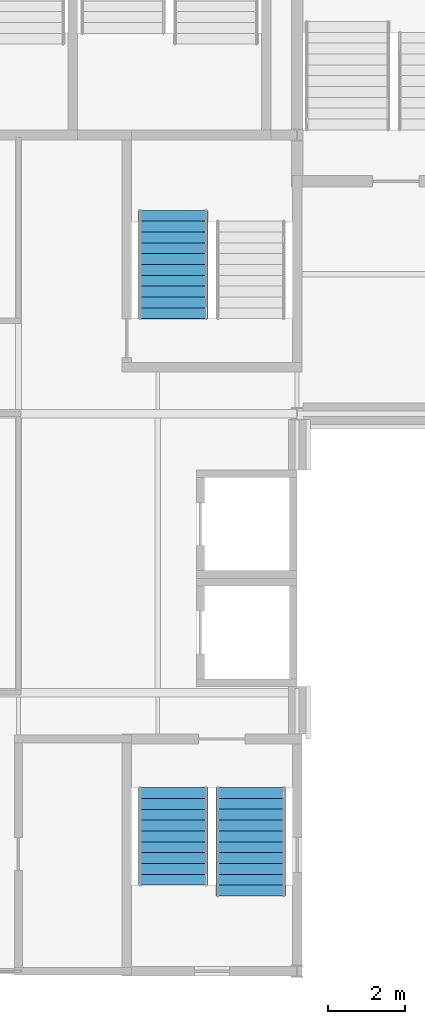
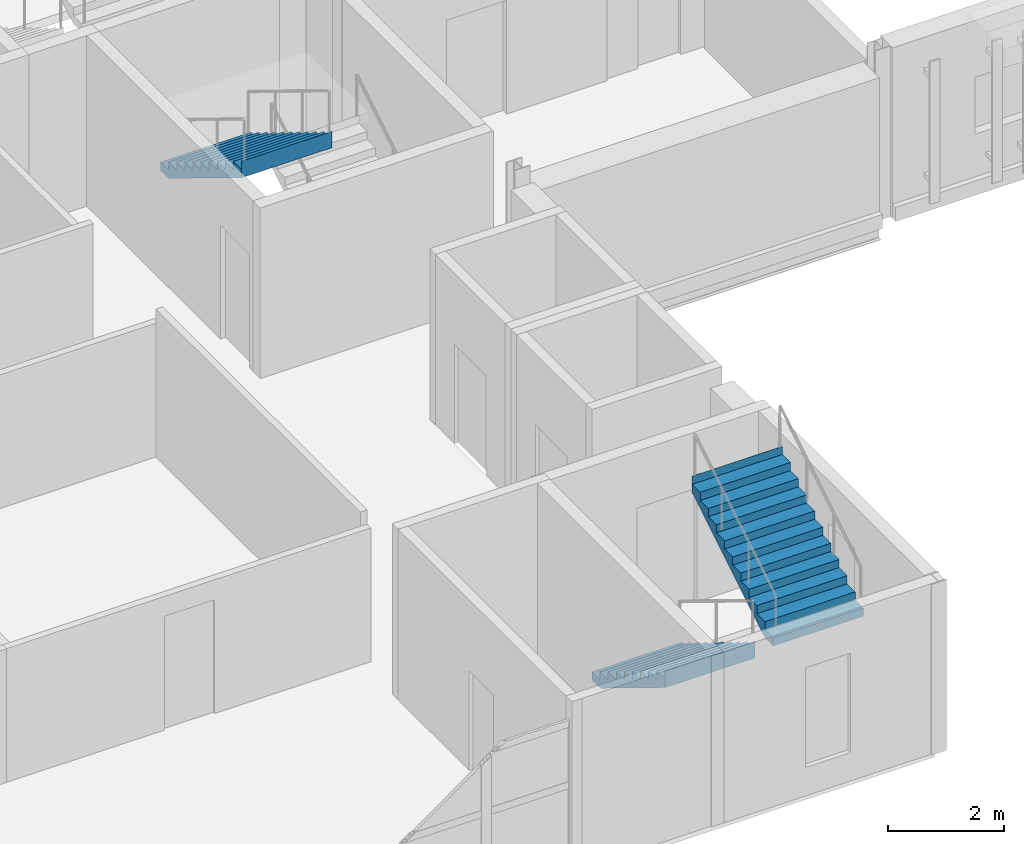
# One storey, part 84 of 124: 3 stair flights, 2 elements without a shape of their own.
"""IFC4 building model written with IfcOpenShell, lengths in metres."""

from ifc_helpers import new_model, si_unit, direction, frame, origin, place, context, subcontext, project, spatial, polyline, outline, extrude, material, type_object, element, aggregate, save


model = new_model("IFC4")

# Units and contexts
model_context = context("Model", 3, precision=1e-05, world=origin(), true_north=direction((0.0, 1.0)))
body_context = subcontext(model_context, "Body", "Model", "MODEL_VIEW")
ifc_project = project(units=[si_unit("LENGTHUNIT", "METRE"), si_unit("AREAUNIT", "SQUARE_METRE"), si_unit("VOLUMEUNIT", "CUBIC_METRE"), si_unit("PLANEANGLEUNIT", "RADIAN"), si_unit("MASSUNIT", "GRAM", prefix="KILO")], contexts=[model_context])

# Site, building, storey
site_placement = place(None, origin())
site = spatial("IfcSite", under=ifc_project, at=site_placement, CompositionType="ELEMENT")
building_placement = place(site_placement, origin())
building = spatial("IfcBuilding", under=site, at=building_placement, Name="Kupolbacken Congress Centre", CompositionType="ELEMENT")
storey_placement = place(building_placement, frame((0.0, 0.0, 10.800048828125)))
storey = spatial("IfcBuildingStorey", under=building, at=storey_placement, Name="L03", CompositionType="ELEMENT", Elevation=10.800048828125)

# Stair, stair flights
ifc_material_1 = material(Name="Steel S355", Category="steel")
stair_type = type_object("IfcStairType", Name="ST3 stair 1800", PredefinedType="TWO_STRAIGHT_RUN_STAIR", material=ifc_material_1)
stair_1_placement = place(storey_placement, origin())
stair_1 = element("IfcStair", 1, at=stair_1_placement, inside=storey, type_object=stair_type, Name="C/stair/FS1E/L03", PredefinedType="NOTDEFINED")
ifc_material_2 = material(Name="Steel S355", Category="steel")
stair_flight_type_1 = type_object("IfcStairFlightType", Name="FL5 stair flight 1800 x 10 risers", PredefinedType="STRAIGHT", material=ifc_material_2)
stair_flight_1_placement = place(storey_placement, frame((76.0, 33.544921875, 0.0), z_axis=(0.0, 0.0, 1.0), x_axis=(0.0, -1.0, 0.0)))
stair_flight_1 = element("IfcStairFlight", 2, at=stair_flight_1_placement, type_object=stair_flight_type_1, Name="FS1E flight 1", NumberOfRisers=10, NumberOfTreads=9, PredefinedType="STRAIGHT", RiserHeight=0.171428571, TreadLength=0.28, context=body_context, shape_type="SweptSolid", body=[
    extrude(outline(polyline([(0.0, 0.0), (0.0, 0.0009765625), (0.0, 0.002197265625), (0.0, 0.003173828125), (0.0, 0.004150390625), (0.0, 0.00537109375), (0.0, 0.00634765625), (0.0, 0.007568359375), (0.0, 0.008544921875), (0.0, 0.009521484375), (0.0, 0.0107421875), (0.0, 0.01171875), (0.0, 0.0126953125), (0.0, 0.013916015625), (0.0, 0.014892578125), (0.0, 0.015869140625), (0.0, 0.01708984375), (0.0, 0.01806640625), (0.0, 0.019287109375), (0.0, 0.020263671875), (0.0, 0.021240234375), (0.0, 0.0224609375), (0.0, 0.0234375), (0.0, 0.0244140625), (0.0, 0.025634765625), (0.0, 0.026611328125), (0.0, 0.027587890625), (0.0, 0.02880859375), (0.0, 0.02978515625), (0.0, 0.03076171875), (0.0, 0.031982421875), (0.0, 0.032958984375), (0.0, 0.0341796875), (0.0, 0.03515625), (0.0, 0.0361328125), (0.0, 0.037353515625), (0.0, 0.038330078125), (0.0, 0.039306640625), (0.0, 0.04052734375), (0.0, 0.04150390625), (0.0, 0.04248046875), (0.0, 0.043701171875), (0.0, 0.044677734375), (0.0, 0.0458984375), (0.0, 0.046875), (0.0, 0.0478515625), (0.0, 0.049072265625), (0.0, 0.050048828125), (0.0, 0.051025390625), (0.0, 0.05224609375), (0.0, 0.05322265625), (0.0, 0.05419921875), (0.0, 0.055419921875), (0.0, 0.056396484375), (0.0, 0.0576171875), (0.0, 0.05859375), (0.0, 0.0595703125), (0.0, 0.060791015625), (0.0, 0.061767578125), (0.0, 0.062744140625), (0.0, 0.06396484375), (0.0, 0.06494140625), (0.0, 0.06591796875), (0.0, 0.067138671875), (0.0, 0.068115234375), (0.0, 0.069091796875), (0.0, 0.0703125), (0.0, 0.0712890625), (0.0, 0.072509765625), (0.0, 0.073486328125), (0.0, 0.074462890625), (0.0, 0.07568359375), (0.0, 0.07666015625), (0.0, 0.07763671875), (0.0, 0.078857421875), (0.0, 0.079833984375), (0.0, 0.080810546875), (0.0, 0.08203125), (0.0, 0.0830078125), (0.0, 0.084228515625), (0.0, 0.085205078125), (0.0, 0.086181640625), (0.0, 0.08740234375), (0.0, 0.08837890625), (0.0, 0.08935546875), (0.0, 0.090576171875), (0.0, 0.091552734375), (0.0, 0.092529296875), (0.0, 0.09375), (0.0, 0.0947265625), (0.0, 0.095947265625), (0.0, 0.096923828125), (0.0, 0.097900390625), (0.0, 0.09912109375), (0.0, 0.10009765625), (0.0, 0.10107421875), (0.0, 0.102294921875), (0.0, 0.103271484375), (0.0, 0.104248046875), (0.0, 0.10546875), (0.0, 0.1064453125), (0.0, 0.107421875), (0.0, 0.108642578125), (0.0, 0.109619140625), (0.0, 0.11083984375), (0.0, 0.11181640625), (0.0, 0.11279296875), (0.0, 0.114013671875), (0.0, 0.114990234375), (0.0, 0.115966796875), (0.0, 0.1171875), (0.0, 0.1181640625), (0.0, 0.119140625), (0.0, 0.120361328125), (0.0, 0.121337890625), (0.0, 0.12255859375), (0.0, 0.12353515625), (0.0, 0.12451171875), (0.0, 0.125732421875), (0.0, 0.126708984375), (0.0, 0.127685546875), (0.0, 0.12890625), (0.0, 0.1298828125), (0.0, 0.130859375), (0.0, 0.132080078125), (0.0, 0.133056640625), (0.0, 0.13427734375), (0.0, 0.13525390625), (0.0, 0.13623046875), (0.0, 0.137451171875), (0.0, 0.138427734375), (0.0, 0.139404296875), (0.0, 0.140625), (0.0, 0.1416015625), (0.0, 0.142578125), (0.0, 0.143798828125), (0.0, 0.144775390625), (0.0, 0.145751953125), (0.0, 0.14697265625), (0.0, 0.14794921875), (0.0, 0.149169921875), (0.0, 0.150146484375), (0.0, 0.151123046875), (0.0, 0.15234375), (0.0, 0.1533203125), (0.0, 0.154296875), (0.0, 0.155517578125), (0.0, 0.156494140625), (0.0, 0.157470703125), (0.0, 0.15869140625), (0.0, 0.15966796875), (0.0, 0.160888671875), (0.0, 0.161865234375), (0.0, 0.162841796875), (0.0, 0.1640625), (0.0, 0.1650390625), (0.0, 0.166015625), (0.0, 0.167236328125), (0.0, 0.168212890625), (0.0, 0.169189453125), (0.0, 0.17041015625), (0.0, 0.17138671875), (0.280029296875, 0.17138671875), (0.280029296875, 0.3427734375), (0.56005859375, 0.3427734375), (0.56005859375, 0.514404296875), (0.840087890625, 0.514404296875), (0.840087890625, 0.685791015625), (1.1201171875, 0.685791015625), (1.1201171875, 0.857177734375), (1.39990234375, 0.857177734375), (1.39990234375, 1.028564453125), (1.679931640625, 1.028564453125), (1.679931640625, 1.199951171875), (1.9599609375, 1.199951171875), (1.9599609375, 1.371337890625), (2.239990234375, 1.371337890625), (2.239990234375, 1.54296875), (2.52001953125, 1.54296875), (2.52001953125, 1.71435546875), (2.52197265625, 1.71435546875), (2.52197265625, 1.712158203125), (2.52197265625, 1.7099609375), (2.52197265625, 1.707763671875), (2.52197265625, 1.70556640625), (2.52197265625, 1.70361328125), (2.52197265625, 1.701416015625), (2.52197265625, 1.69921875), (2.52197265625, 1.697021484375), (2.52197265625, 1.69482421875), (2.52197265625, 1.692626953125), (2.52197265625, 1.690673828125), (2.52197265625, 1.6884765625), (2.52197265625, 1.686279296875), (2.52197265625, 1.68408203125), (2.52197265625, 1.681884765625), (2.52197265625, 1.6796875), (2.52197265625, 1.677734375), (2.52197265625, 1.675537109375), (2.52197265625, 1.67333984375), (2.52197265625, 1.671142578125), (2.52197265625, 1.6689453125), (2.52197265625, 1.666748046875), (2.52197265625, 1.664794921875), (2.52197265625, 1.66259765625), (2.52197265625, 1.660400390625), (2.52197265625, 1.658203125), (2.52197265625, 1.656005859375), (2.52197265625, 1.65380859375), (2.52197265625, 1.65185546875), (2.52197265625, 1.649658203125), (2.52197265625, 1.6474609375), (2.52197265625, 1.645263671875), (2.52197265625, 1.64306640625), (2.52197265625, 1.640869140625), (2.52197265625, 1.638916015625), (2.52197265625, 1.63671875), (2.52197265625, 1.634521484375), (2.52197265625, 1.63232421875), (2.52197265625, 1.630126953125), (2.52197265625, 1.6279296875), (2.52197265625, 1.6259765625), (2.52197265625, 1.623779296875), (2.52197265625, 1.62158203125), (2.52197265625, 1.619384765625), (2.52197265625, 1.6171875), (2.52197265625, 1.614990234375), (2.52197265625, 1.613037109375), (2.52197265625, 1.61083984375), (2.52197265625, 1.608642578125), (2.52197265625, 1.6064453125), (2.52197265625, 1.604248046875), (2.52197265625, 1.60205078125), (2.52197265625, 1.60009765625), (2.52197265625, 1.597900390625), (2.52197265625, 1.595703125), (2.52197265625, 1.593505859375), (2.52197265625, 1.59130859375), (2.52197265625, 1.589111328125), (2.52197265625, 1.587158203125), (2.52197265625, 1.5849609375), (2.52197265625, 1.582763671875), (2.52197265625, 1.58056640625), (2.52197265625, 1.578369140625), (2.52197265625, 1.576171875), (2.52197265625, 1.57421875), (2.52197265625, 1.572021484375), (2.52197265625, 1.56982421875), (2.52197265625, 1.567626953125), (2.52197265625, 1.5654296875), (2.52197265625, 1.563232421875), (2.52197265625, 1.561279296875), (2.52197265625, 1.55908203125), (2.52197265625, 1.556884765625), (2.52197265625, 1.5546875), (2.52197265625, 1.552490234375), (2.52197265625, 1.55029296875), (2.52197265625, 1.54833984375), (2.52197265625, 1.546142578125), (2.52197265625, 1.5439453125), (2.52197265625, 1.541748046875), (2.52197265625, 1.53955078125), (2.52197265625, 1.537353515625), (2.52197265625, 1.535400390625), (2.52197265625, 1.533203125), (2.52197265625, 1.531005859375), (2.52197265625, 1.52880859375), (2.52197265625, 1.526611328125), (2.52197265625, 1.5244140625), (2.52197265625, 1.5224609375), (2.52197265625, 1.520263671875), (2.52197265625, 1.51806640625), (2.52197265625, 1.515869140625), (2.52197265625, 1.513671875), (2.52197265625, 1.511474609375), (2.52197265625, 1.509521484375), (2.52197265625, 1.50732421875), (2.52197265625, 1.505126953125), (2.52197265625, 1.5029296875), (2.52197265625, 1.500732421875), (2.52197265625, 1.49853515625), (2.52197265625, 1.49658203125), (2.52197265625, 1.494384765625), (2.52197265625, 1.4921875), (2.52197265625, 1.489990234375), (2.52197265625, 1.48779296875), (2.52197265625, 1.485595703125), (2.52197265625, 1.483642578125), (2.52197265625, 1.4814453125), (2.52197265625, 1.479248046875), (2.52197265625, 1.47705078125), (2.52197265625, 1.474853515625), (2.52197265625, 1.47265625), (2.52197265625, 1.470703125), (2.52197265625, 1.468505859375), (2.52197265625, 1.46630859375), (2.52197265625, 1.464111328125), (2.52197265625, 1.4619140625), (2.52197265625, 1.459716796875), (2.52197265625, 1.457763671875), (2.52197265625, 1.45556640625), (2.52197265625, 1.453369140625), (2.52197265625, 1.451171875), (2.52197265625, 1.448974609375), (2.52197265625, 1.44677734375), (2.52197265625, 1.44482421875), (2.52197265625, 1.442626953125), (2.52197265625, 1.4404296875), (2.52197265625, 1.438232421875), (2.52197265625, 1.43603515625), (2.52197265625, 1.433837890625), (2.52197265625, 1.431884765625), (2.52197265625, 1.4296875), (2.52197265625, 1.427490234375), (2.52197265625, 1.42529296875), (2.52197265625, 1.423095703125), (2.52197265625, 1.4208984375), (2.52197265625, 1.4189453125), (2.52197265625, 1.416748046875), (2.52197265625, 1.41455078125), (2.52197265625, 1.412353515625), (2.52197265625, 1.41015625), (2.52197265625, 1.407958984375), (2.52197265625, 1.406005859375), (2.52197265625, 1.40380859375), (2.52197265625, 1.401611328125), (2.52197265625, 1.3994140625), (2.52197265625, 1.397216796875), (2.52197265625, 1.39501953125), (2.52197265625, 1.39306640625), (2.52197265625, 1.390869140625), (2.52197265625, 1.388671875), (2.52197265625, 1.386474609375), (2.52197265625, 1.38427734375), (2.52197265625, 1.382080078125), (2.52197265625, 1.380126953125), (2.52197265625, 1.3779296875), (2.52197265625, 1.375732421875), (2.52197265625, 1.37353515625), (2.52197265625, 1.371337890625), (2.52197265625, 1.369140625), (2.52197265625, 1.3671875), (0.2890625, 0.0), (0.0, 0.0)])), frame((0.0, 0.89990234375, 0.0), z_axis=(0.0, -1.0, 0.0), x_axis=(1.0, 0.0, 0.0)), (0.0, 0.0, 1.0), 1.800048828125),
])
ifc_material_3 = material(Name="Steel S355", Category="steel")
stair_flight_type_2 = type_object("IfcStairFlightType", Name="FL6 stair flight 1800 x 11 risers", PredefinedType="STRAIGHT", material=ifc_material_3)
stair_flight_2_placement = place(storey_placement, frame((78.0, 30.7451171875, 1.71435546875), z_axis=(0.0, 0.0, 1.0), x_axis=(0.0, 1.0, 0.0)))
stair_flight_2 = element("IfcStairFlight", 3, at=stair_flight_2_placement, type_object=stair_flight_type_2, Name="FS1E flight 2", NumberOfRisers=11, NumberOfTreads=10, PredefinedType="STRAIGHT", RiserHeight=0.171428571, TreadLength=0.28, context=body_context, shape_type="SweptSolid", body=[
    extrude(outline(polyline([(0.0, 0.0), (0.0, 0.0009765625), (0.0, 0.002197265625), (0.0, 0.003173828125), (0.0, 0.004150390625), (0.0, 0.00537109375), (0.0, 0.00634765625), (0.0, 0.007568359375), (0.0, 0.008544921875), (0.0, 0.009521484375), (0.0, 0.0107421875), (0.0, 0.01171875), (0.0, 0.0126953125), (0.0, 0.013916015625), (0.0, 0.014892578125), (0.0, 0.015869140625), (0.0, 0.01708984375), (0.0, 0.01806640625), (0.0, 0.019287109375), (0.0, 0.020263671875), (0.0, 0.021240234375), (0.0, 0.0224609375), (0.0, 0.0234375), (0.0, 0.0244140625), (0.0, 0.025634765625), (0.0, 0.026611328125), (0.0, 0.027587890625), (0.0, 0.02880859375), (0.0, 0.02978515625), (0.0, 0.03076171875), (0.0, 0.031982421875), (0.0, 0.032958984375), (0.0, 0.0341796875), (0.0, 0.03515625), (0.0, 0.0361328125), (0.0, 0.037353515625), (0.0, 0.038330078125), (0.0, 0.039306640625), (0.0, 0.04052734375), (0.0, 0.04150390625), (0.0, 0.04248046875), (0.0, 0.043701171875), (0.0, 0.044677734375), (0.0, 0.0458984375), (0.0, 0.046875), (0.0, 0.0478515625), (0.0, 0.049072265625), (0.0, 0.050048828125), (0.0, 0.051025390625), (0.0, 0.05224609375), (0.0, 0.05322265625), (0.0, 0.05419921875), (0.0, 0.055419921875), (0.0, 0.056396484375), (0.0, 0.0576171875), (0.0, 0.05859375), (0.0, 0.0595703125), (0.0, 0.060791015625), (0.0, 0.061767578125), (0.0, 0.062744140625), (0.0, 0.06396484375), (0.0, 0.06494140625), (0.0, 0.06591796875), (0.0, 0.067138671875), (0.0, 0.068115234375), (0.0, 0.069091796875), (0.0, 0.0703125), (0.0, 0.0712890625), (0.0, 0.072509765625), (0.0, 0.073486328125), (0.0, 0.074462890625), (0.0, 0.07568359375), (0.0, 0.07666015625), (0.0, 0.07763671875), (0.0, 0.078857421875), (0.0, 0.079833984375), (0.0, 0.080810546875), (0.0, 0.08203125), (0.0, 0.0830078125), (0.0, 0.084228515625), (0.0, 0.085205078125), (0.0, 0.086181640625), (0.0, 0.08740234375), (0.0, 0.08837890625), (0.0, 0.08935546875), (0.0, 0.090576171875), (0.0, 0.091552734375), (0.0, 0.092529296875), (0.0, 0.09375), (0.0, 0.0947265625), (0.0, 0.095947265625), (0.0, 0.096923828125), (0.0, 0.097900390625), (0.0, 0.09912109375), (0.0, 0.10009765625), (0.0, 0.10107421875), (0.0, 0.102294921875), (0.0, 0.103271484375), (0.0, 0.104248046875), (0.0, 0.10546875), (0.0, 0.1064453125), (0.0, 0.107421875), (0.0, 0.108642578125), (0.0, 0.109619140625), (0.0, 0.11083984375), (0.0, 0.11181640625), (0.0, 0.11279296875), (0.0, 0.114013671875), (0.0, 0.114990234375), (0.0, 0.115966796875), (0.0, 0.1171875), (0.0, 0.1181640625), (0.0, 0.119140625), (0.0, 0.120361328125), (0.0, 0.121337890625), (0.0, 0.12255859375), (0.0, 0.12353515625), (0.0, 0.12451171875), (0.0, 0.125732421875), (0.0, 0.126708984375), (0.0, 0.127685546875), (0.0, 0.12890625), (0.0, 0.1298828125), (0.0, 0.130859375), (0.0, 0.132080078125), (0.0, 0.133056640625), (0.0, 0.13427734375), (0.0, 0.13525390625), (0.0, 0.13623046875), (0.0, 0.137451171875), (0.0, 0.138427734375), (0.0, 0.139404296875), (0.0, 0.140625), (0.0, 0.1416015625), (0.0, 0.142578125), (0.0, 0.143798828125), (0.0, 0.144775390625), (0.0, 0.145751953125), (0.0, 0.14697265625), (0.0, 0.14794921875), (0.0, 0.149169921875), (0.0, 0.150146484375), (0.0, 0.151123046875), (0.0, 0.15234375), (0.0, 0.1533203125), (0.0, 0.154296875), (0.0, 0.155517578125), (0.0, 0.156494140625), (0.0, 0.157470703125), (0.0, 0.15869140625), (0.0, 0.15966796875), (0.0, 0.160888671875), (0.0, 0.161865234375), (0.0, 0.162841796875), (0.0, 0.1640625), (0.0, 0.1650390625), (0.0, 0.166015625), (0.0, 0.167236328125), (0.0, 0.168212890625), (0.0, 0.169189453125), (0.0, 0.17041015625), (0.0, 0.17138671875), (0.280029296875, 0.17138671875), (0.280029296875, 0.3427734375), (0.56005859375, 0.3427734375), (0.56005859375, 0.514404296875), (0.840087890625, 0.514404296875), (0.840087890625, 0.685791015625), (1.1201171875, 0.685791015625), (1.1201171875, 0.857177734375), (1.39990234375, 0.857177734375), (1.39990234375, 1.028564453125), (1.679931640625, 1.028564453125), (1.679931640625, 1.199951171875), (1.9599609375, 1.199951171875), (1.9599609375, 1.371337890625), (2.239990234375, 1.371337890625), (2.239990234375, 1.54296875), (2.52001953125, 1.54296875), (2.52001953125, 1.71435546875), (2.800048828125, 1.71435546875), (2.800048828125, 1.8857421875), (2.802001953125, 1.8857421875), (2.802001953125, 1.883544921875), (2.802001953125, 1.88134765625), (2.802001953125, 1.879150390625), (2.802001953125, 1.877197265625), (2.802001953125, 1.875), (2.802001953125, 1.872802734375), (2.802001953125, 1.87060546875), (2.802001953125, 1.868408203125), (2.802001953125, 1.8662109375), (2.802001953125, 1.8642578125), (2.802001953125, 1.862060546875), (2.802001953125, 1.85986328125), (2.802001953125, 1.857666015625), (2.802001953125, 1.85546875), (2.802001953125, 1.853271484375), (2.802001953125, 1.851318359375), (2.802001953125, 1.84912109375), (2.802001953125, 1.846923828125), (2.802001953125, 1.8447265625), (2.802001953125, 1.842529296875), (2.802001953125, 1.84033203125), (2.802001953125, 1.83837890625), (2.802001953125, 1.836181640625), (2.802001953125, 1.833984375), (2.802001953125, 1.831787109375), (2.802001953125, 1.82958984375), (2.802001953125, 1.827392578125), (2.802001953125, 1.825439453125), (2.802001953125, 1.8232421875), (2.802001953125, 1.821044921875), (2.802001953125, 1.81884765625), (2.802001953125, 1.816650390625), (2.802001953125, 1.814453125), (2.802001953125, 1.8125), (2.802001953125, 1.810302734375), (2.802001953125, 1.80810546875), (2.802001953125, 1.805908203125), (2.802001953125, 1.8037109375), (2.802001953125, 1.801513671875), (2.802001953125, 1.799560546875), (2.802001953125, 1.79736328125), (2.802001953125, 1.795166015625), (2.802001953125, 1.79296875), (2.802001953125, 1.790771484375), (2.802001953125, 1.78857421875), (2.802001953125, 1.78662109375), (2.802001953125, 1.784423828125), (2.802001953125, 1.7822265625), (2.802001953125, 1.780029296875), (2.802001953125, 1.77783203125), (2.802001953125, 1.775634765625), (2.802001953125, 1.773681640625), (2.802001953125, 1.771484375), (2.802001953125, 1.769287109375), (2.802001953125, 1.76708984375), (2.802001953125, 1.764892578125), (2.802001953125, 1.7626953125), (2.802001953125, 1.7607421875), (2.802001953125, 1.758544921875), (2.802001953125, 1.75634765625), (2.802001953125, 1.754150390625), (2.802001953125, 1.751953125), (2.802001953125, 1.749755859375), (2.802001953125, 1.747802734375), (2.802001953125, 1.74560546875), (2.802001953125, 1.743408203125), (2.802001953125, 1.7412109375), (2.802001953125, 1.739013671875), (2.802001953125, 1.73681640625), (2.802001953125, 1.73486328125), (2.802001953125, 1.732666015625), (2.802001953125, 1.73046875), (2.802001953125, 1.728271484375), (2.802001953125, 1.72607421875), (2.802001953125, 1.723876953125), (2.802001953125, 1.721923828125), (2.802001953125, 1.7197265625), (2.802001953125, 1.717529296875), (2.802001953125, 1.71533203125), (2.802001953125, 1.713134765625), (2.802001953125, 1.7109375), (2.802001953125, 1.708984375), (2.802001953125, 1.706787109375), (2.802001953125, 1.70458984375), (2.802001953125, 1.702392578125), (2.802001953125, 1.7001953125), (2.802001953125, 1.697998046875), (2.802001953125, 1.696044921875), (2.802001953125, 1.69384765625), (2.802001953125, 1.691650390625), (2.802001953125, 1.689453125), (2.802001953125, 1.687255859375), (2.802001953125, 1.68505859375), (2.802001953125, 1.68310546875), (2.802001953125, 1.680908203125), (2.802001953125, 1.6787109375), (2.802001953125, 1.676513671875), (2.802001953125, 1.67431640625), (2.802001953125, 1.672119140625), (2.802001953125, 1.670166015625), (2.802001953125, 1.66796875), (2.802001953125, 1.665771484375), (2.802001953125, 1.66357421875), (2.802001953125, 1.661376953125), (2.802001953125, 1.6591796875), (2.802001953125, 1.6572265625), (2.802001953125, 1.655029296875), (2.802001953125, 1.65283203125), (2.802001953125, 1.650634765625), (2.802001953125, 1.6484375), (2.802001953125, 1.646240234375), (2.802001953125, 1.644287109375), (2.802001953125, 1.64208984375), (2.802001953125, 1.639892578125), (2.802001953125, 1.6376953125), (2.802001953125, 1.635498046875), (2.802001953125, 1.63330078125), (2.802001953125, 1.63134765625), (2.802001953125, 1.629150390625), (2.802001953125, 1.626953125), (2.802001953125, 1.624755859375), (2.802001953125, 1.62255859375), (2.802001953125, 1.620361328125), (2.802001953125, 1.618408203125), (2.802001953125, 1.6162109375), (2.802001953125, 1.614013671875), (2.802001953125, 1.61181640625), (2.802001953125, 1.609619140625), (2.802001953125, 1.607421875), (2.802001953125, 1.60546875), (2.802001953125, 1.603271484375), (2.802001953125, 1.60107421875), (2.802001953125, 1.598876953125), (2.802001953125, 1.5966796875), (2.802001953125, 1.594482421875), (2.802001953125, 1.592529296875), (2.802001953125, 1.59033203125), (2.802001953125, 1.588134765625), (2.802001953125, 1.5859375), (2.802001953125, 1.583740234375), (2.802001953125, 1.58154296875), (2.802001953125, 1.57958984375), (2.802001953125, 1.577392578125), (2.802001953125, 1.5751953125), (2.802001953125, 1.572998046875), (2.802001953125, 1.57080078125), (2.802001953125, 1.568603515625), (2.802001953125, 1.566650390625), (2.802001953125, 1.564453125), (2.802001953125, 1.562255859375), (2.802001953125, 1.56005859375), (2.802001953125, 1.557861328125), (2.802001953125, 1.5556640625), (2.802001953125, 1.5537109375), (2.802001953125, 1.551513671875), (2.802001953125, 1.54931640625), (2.802001953125, 1.547119140625), (2.802001953125, 1.544921875), (2.802001953125, 1.542724609375), (2.802001953125, 1.540771484375), (2.802001953125, 1.53857421875), (0.2890625, 0.0), (0.0, 0.0)])), frame((0.0, 0.89990234375, 0.0), z_axis=(0.0, -1.0, 0.0), x_axis=(1.0, 0.0, 0.0)), (0.0, 0.0, 1.0), 1.800048828125),
])
aggregate(stair_1, [stair_flight_1, stair_flight_2])

# Stair, stair flight
stair_2_placement = place(storey_placement, origin())
stair_2 = element("IfcStair", 4, at=stair_2_placement, inside=storey, type_object=stair_type, Name="C/stair/FS2E/L03", PredefinedType="NOTDEFINED")
stair_flight_3_placement = place(storey_placement, frame((76.0, 48.455078125, 1.71435546875), z_axis=(0.0, 0.0, 1.0), x_axis=(0.0, -1.0, 0.0)))
stair_flight_3 = element("IfcStairFlight", 5, at=stair_flight_3_placement, type_object=stair_flight_type_2, Name="FS2E flight 2", NumberOfRisers=11, NumberOfTreads=10, PredefinedType="STRAIGHT", RiserHeight=0.171428571, TreadLength=0.28, context=body_context, shape_type="SweptSolid", body=[
    extrude(outline(polyline([(0.0, 0.0), (0.0, 0.0009765625), (0.0, 0.002197265625), (0.0, 0.003173828125), (0.0, 0.004150390625), (0.0, 0.00537109375), (0.0, 0.00634765625), (0.0, 0.007568359375), (0.0, 0.008544921875), (0.0, 0.009521484375), (0.0, 0.0107421875), (0.0, 0.01171875), (0.0, 0.0126953125), (0.0, 0.013916015625), (0.0, 0.014892578125), (0.0, 0.015869140625), (0.0, 0.01708984375), (0.0, 0.01806640625), (0.0, 0.019287109375), (0.0, 0.020263671875), (0.0, 0.021240234375), (0.0, 0.0224609375), (0.0, 0.0234375), (0.0, 0.0244140625), (0.0, 0.025634765625), (0.0, 0.026611328125), (0.0, 0.027587890625), (0.0, 0.02880859375), (0.0, 0.02978515625), (0.0, 0.03076171875), (0.0, 0.031982421875), (0.0, 0.032958984375), (0.0, 0.0341796875), (0.0, 0.03515625), (0.0, 0.0361328125), (0.0, 0.037353515625), (0.0, 0.038330078125), (0.0, 0.039306640625), (0.0, 0.04052734375), (0.0, 0.04150390625), (0.0, 0.04248046875), (0.0, 0.043701171875), (0.0, 0.044677734375), (0.0, 0.0458984375), (0.0, 0.046875), (0.0, 0.0478515625), (0.0, 0.049072265625), (0.0, 0.050048828125), (0.0, 0.051025390625), (0.0, 0.05224609375), (0.0, 0.05322265625), (0.0, 0.05419921875), (0.0, 0.055419921875), (0.0, 0.056396484375), (0.0, 0.0576171875), (0.0, 0.05859375), (0.0, 0.0595703125), (0.0, 0.060791015625), (0.0, 0.061767578125), (0.0, 0.062744140625), (0.0, 0.06396484375), (0.0, 0.06494140625), (0.0, 0.06591796875), (0.0, 0.067138671875), (0.0, 0.068115234375), (0.0, 0.069091796875), (0.0, 0.0703125), (0.0, 0.0712890625), (0.0, 0.072509765625), (0.0, 0.073486328125), (0.0, 0.074462890625), (0.0, 0.07568359375), (0.0, 0.07666015625), (0.0, 0.07763671875), (0.0, 0.078857421875), (0.0, 0.079833984375), (0.0, 0.080810546875), (0.0, 0.08203125), (0.0, 0.0830078125), (0.0, 0.084228515625), (0.0, 0.085205078125), (0.0, 0.086181640625), (0.0, 0.08740234375), (0.0, 0.08837890625), (0.0, 0.08935546875), (0.0, 0.090576171875), (0.0, 0.091552734375), (0.0, 0.092529296875), (0.0, 0.09375), (0.0, 0.0947265625), (0.0, 0.095947265625), (0.0, 0.096923828125), (0.0, 0.097900390625), (0.0, 0.09912109375), (0.0, 0.10009765625), (0.0, 0.10107421875), (0.0, 0.102294921875), (0.0, 0.103271484375), (0.0, 0.104248046875), (0.0, 0.10546875), (0.0, 0.1064453125), (0.0, 0.107421875), (0.0, 0.108642578125), (0.0, 0.109619140625), (0.0, 0.11083984375), (0.0, 0.11181640625), (0.0, 0.11279296875), (0.0, 0.114013671875), (0.0, 0.114990234375), (0.0, 0.115966796875), (0.0, 0.1171875), (0.0, 0.1181640625), (0.0, 0.119140625), (0.0, 0.120361328125), (0.0, 0.121337890625), (0.0, 0.12255859375), (0.0, 0.12353515625), (0.0, 0.12451171875), (0.0, 0.125732421875), (0.0, 0.126708984375), (0.0, 0.127685546875), (0.0, 0.12890625), (0.0, 0.1298828125), (0.0, 0.130859375), (0.0, 0.132080078125), (0.0, 0.133056640625), (0.0, 0.13427734375), (0.0, 0.13525390625), (0.0, 0.13623046875), (0.0, 0.137451171875), (0.0, 0.138427734375), (0.0, 0.139404296875), (0.0, 0.140625), (0.0, 0.1416015625), (0.0, 0.142578125), (0.0, 0.143798828125), (0.0, 0.144775390625), (0.0, 0.145751953125), (0.0, 0.14697265625), (0.0, 0.14794921875), (0.0, 0.149169921875), (0.0, 0.150146484375), (0.0, 0.151123046875), (0.0, 0.15234375), (0.0, 0.1533203125), (0.0, 0.154296875), (0.0, 0.155517578125), (0.0, 0.156494140625), (0.0, 0.157470703125), (0.0, 0.15869140625), (0.0, 0.15966796875), (0.0, 0.160888671875), (0.0, 0.161865234375), (0.0, 0.162841796875), (0.0, 0.1640625), (0.0, 0.1650390625), (0.0, 0.166015625), (0.0, 0.167236328125), (0.0, 0.168212890625), (0.0, 0.169189453125), (0.0, 0.17041015625), (0.0, 0.17138671875), (0.280029296875, 0.17138671875), (0.280029296875, 0.3427734375), (0.56005859375, 0.3427734375), (0.56005859375, 0.514404296875), (0.840087890625, 0.514404296875), (0.840087890625, 0.685791015625), (1.1201171875, 0.685791015625), (1.1201171875, 0.857177734375), (1.39990234375, 0.857177734375), (1.39990234375, 1.028564453125), (1.679931640625, 1.028564453125), (1.679931640625, 1.199951171875), (1.9599609375, 1.199951171875), (1.9599609375, 1.371337890625), (2.239990234375, 1.371337890625), (2.239990234375, 1.54296875), (2.52001953125, 1.54296875), (2.52001953125, 1.71435546875), (2.800048828125, 1.71435546875), (2.800048828125, 1.8857421875), (2.802001953125, 1.8857421875), (2.802001953125, 1.883544921875), (2.802001953125, 1.88134765625), (2.802001953125, 1.879150390625), (2.802001953125, 1.877197265625), (2.802001953125, 1.875), (2.802001953125, 1.872802734375), (2.802001953125, 1.87060546875), (2.802001953125, 1.868408203125), (2.802001953125, 1.8662109375), (2.802001953125, 1.8642578125), (2.802001953125, 1.862060546875), (2.802001953125, 1.85986328125), (2.802001953125, 1.857666015625), (2.802001953125, 1.85546875), (2.802001953125, 1.853271484375), (2.802001953125, 1.851318359375), (2.802001953125, 1.84912109375), (2.802001953125, 1.846923828125), (2.802001953125, 1.8447265625), (2.802001953125, 1.842529296875), (2.802001953125, 1.84033203125), (2.802001953125, 1.83837890625), (2.802001953125, 1.836181640625), (2.802001953125, 1.833984375), (2.802001953125, 1.831787109375), (2.802001953125, 1.82958984375), (2.802001953125, 1.827392578125), (2.802001953125, 1.825439453125), (2.802001953125, 1.8232421875), (2.802001953125, 1.821044921875), (2.802001953125, 1.81884765625), (2.802001953125, 1.816650390625), (2.802001953125, 1.814453125), (2.802001953125, 1.8125), (2.802001953125, 1.810302734375), (2.802001953125, 1.80810546875), (2.802001953125, 1.805908203125), (2.802001953125, 1.8037109375), (2.802001953125, 1.801513671875), (2.802001953125, 1.799560546875), (2.802001953125, 1.79736328125), (2.802001953125, 1.795166015625), (2.802001953125, 1.79296875), (2.802001953125, 1.790771484375), (2.802001953125, 1.78857421875), (2.802001953125, 1.78662109375), (2.802001953125, 1.784423828125), (2.802001953125, 1.7822265625), (2.802001953125, 1.780029296875), (2.802001953125, 1.77783203125), (2.802001953125, 1.775634765625), (2.802001953125, 1.773681640625), (2.802001953125, 1.771484375), (2.802001953125, 1.769287109375), (2.802001953125, 1.76708984375), (2.802001953125, 1.764892578125), (2.802001953125, 1.7626953125), (2.802001953125, 1.7607421875), (2.802001953125, 1.758544921875), (2.802001953125, 1.75634765625), (2.802001953125, 1.754150390625), (2.802001953125, 1.751953125), (2.802001953125, 1.749755859375), (2.802001953125, 1.747802734375), (2.802001953125, 1.74560546875), (2.802001953125, 1.743408203125), (2.802001953125, 1.7412109375), (2.802001953125, 1.739013671875), (2.802001953125, 1.73681640625), (2.802001953125, 1.73486328125), (2.802001953125, 1.732666015625), (2.802001953125, 1.73046875), (2.802001953125, 1.728271484375), (2.802001953125, 1.72607421875), (2.802001953125, 1.723876953125), (2.802001953125, 1.721923828125), (2.802001953125, 1.7197265625), (2.802001953125, 1.717529296875), (2.802001953125, 1.71533203125), (2.802001953125, 1.713134765625), (2.802001953125, 1.7109375), (2.802001953125, 1.708984375), (2.802001953125, 1.706787109375), (2.802001953125, 1.70458984375), (2.802001953125, 1.702392578125), (2.802001953125, 1.7001953125), (2.802001953125, 1.697998046875), (2.802001953125, 1.696044921875), (2.802001953125, 1.69384765625), (2.802001953125, 1.691650390625), (2.802001953125, 1.689453125), (2.802001953125, 1.687255859375), (2.802001953125, 1.68505859375), (2.802001953125, 1.68310546875), (2.802001953125, 1.680908203125), (2.802001953125, 1.6787109375), (2.802001953125, 1.676513671875), (2.802001953125, 1.67431640625), (2.802001953125, 1.672119140625), (2.802001953125, 1.670166015625), (2.802001953125, 1.66796875), (2.802001953125, 1.665771484375), (2.802001953125, 1.66357421875), (2.802001953125, 1.661376953125), (2.802001953125, 1.6591796875), (2.802001953125, 1.6572265625), (2.802001953125, 1.655029296875), (2.802001953125, 1.65283203125), (2.802001953125, 1.650634765625), (2.802001953125, 1.6484375), (2.802001953125, 1.646240234375), (2.802001953125, 1.644287109375), (2.802001953125, 1.64208984375), (2.802001953125, 1.639892578125), (2.802001953125, 1.6376953125), (2.802001953125, 1.635498046875), (2.802001953125, 1.63330078125), (2.802001953125, 1.63134765625), (2.802001953125, 1.629150390625), (2.802001953125, 1.626953125), (2.802001953125, 1.624755859375), (2.802001953125, 1.62255859375), (2.802001953125, 1.620361328125), (2.802001953125, 1.618408203125), (2.802001953125, 1.6162109375), (2.802001953125, 1.614013671875), (2.802001953125, 1.61181640625), (2.802001953125, 1.609619140625), (2.802001953125, 1.607421875), (2.802001953125, 1.60546875), (2.802001953125, 1.603271484375), (2.802001953125, 1.60107421875), (2.802001953125, 1.598876953125), (2.802001953125, 1.5966796875), (2.802001953125, 1.594482421875), (2.802001953125, 1.592529296875), (2.802001953125, 1.59033203125), (2.802001953125, 1.588134765625), (2.802001953125, 1.5859375), (2.802001953125, 1.583740234375), (2.802001953125, 1.58154296875), (2.802001953125, 1.57958984375), (2.802001953125, 1.577392578125), (2.802001953125, 1.5751953125), (2.802001953125, 1.572998046875), (2.802001953125, 1.57080078125), (2.802001953125, 1.568603515625), (2.802001953125, 1.566650390625), (2.802001953125, 1.564453125), (2.802001953125, 1.562255859375), (2.802001953125, 1.56005859375), (2.802001953125, 1.557861328125), (2.802001953125, 1.5556640625), (2.802001953125, 1.5537109375), (2.802001953125, 1.551513671875), (2.802001953125, 1.54931640625), (2.802001953125, 1.547119140625), (2.802001953125, 1.544921875), (2.802001953125, 1.542724609375), (2.802001953125, 1.540771484375), (2.802001953125, 1.53857421875), (0.2890625, 0.0), (0.0, 0.0)])), frame((0.0, 0.89990234375, 0.0), z_axis=(0.0, -1.0, 0.0), x_axis=(1.0, 0.0, 0.0)), (0.0, 0.0, 1.0), 1.800048828125),
])
aggregate(stair_2, [stair_flight_3])

save(model, "model.ifc")
